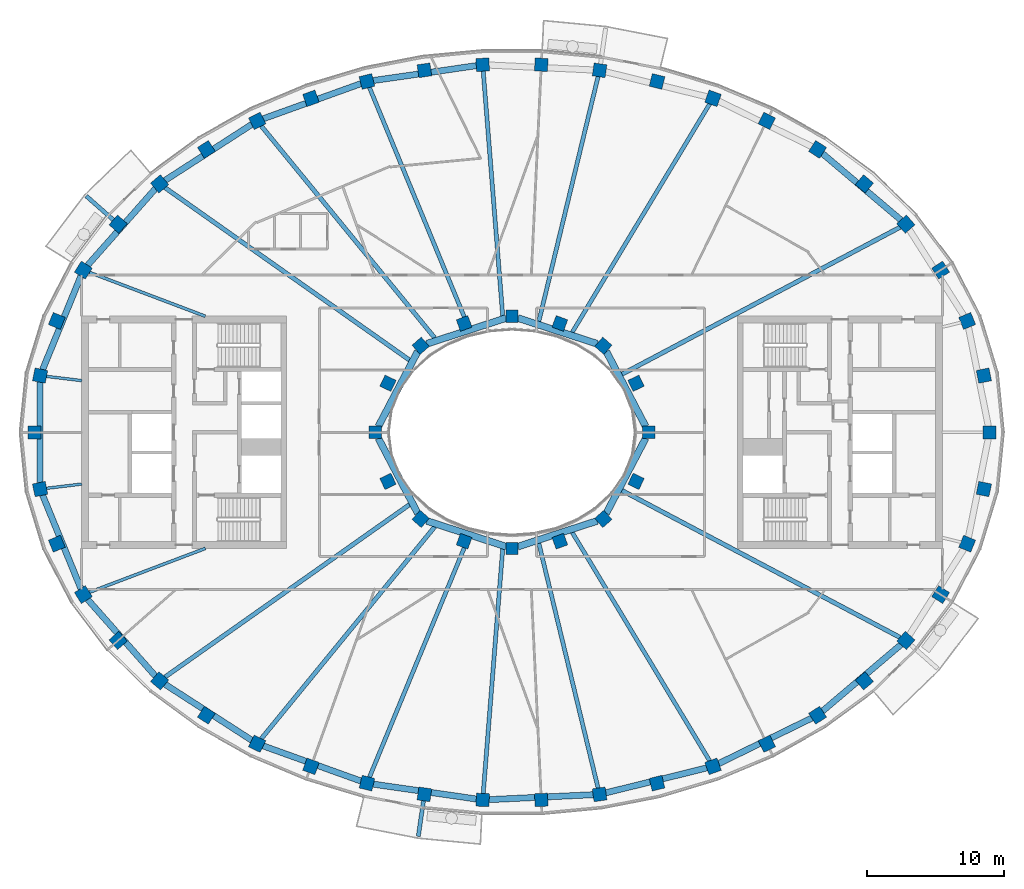
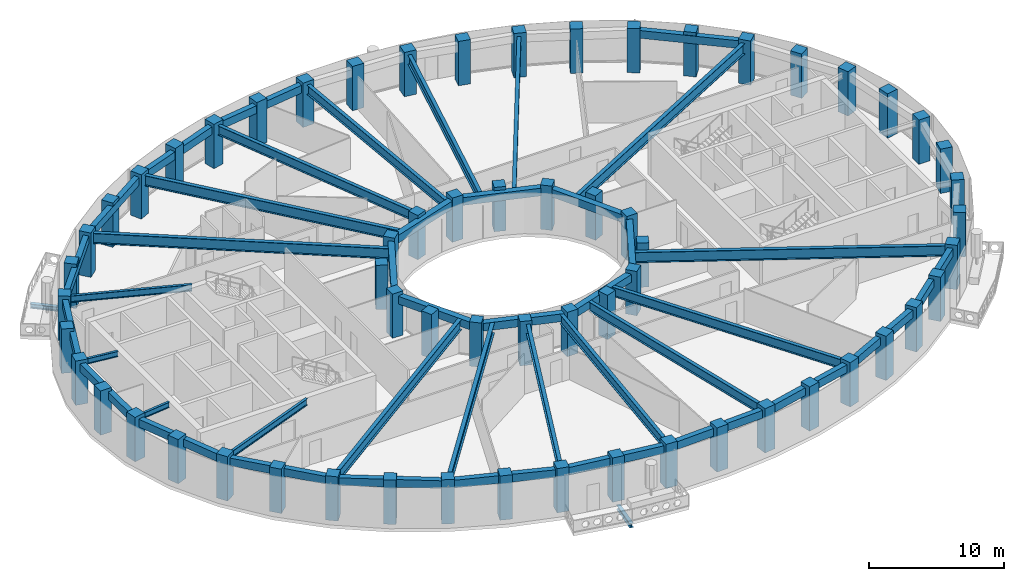
# One storey, part 1 of 16: 62 columns, 44 beams.
"""IFC4 building model written with IfcOpenShell, lengths in metres."""

from ifc_helpers import new_model, si_unit, direction, frame, origin, origin_2d, place, context, subcontext, project, spatial, rectangle, i_section, extrude, material, material_profile, profile_set, type_object, element, save


model = new_model("IFC4")

# Units and contexts
model_context = context("Model", 3, precision=1e-05, world=origin(), true_north=direction((0.0, 1.0)))
body_context = subcontext(model_context, "Body", "Model", "MODEL_VIEW")
ifc_project = project(units=[si_unit("LENGTHUNIT", "METRE"), si_unit("AREAUNIT", "SQUARE_METRE"), si_unit("VOLUMEUNIT", "CUBIC_METRE"), si_unit("PLANEANGLEUNIT", "RADIAN"), si_unit("MASSUNIT", "GRAM", prefix="KILO")], contexts=[model_context])

# Site, building, storey
site_placement = place(None, origin())
site = spatial("IfcSite", under=ifc_project, at=site_placement, CompositionType="ELEMENT")
building_placement = place(site_placement, origin())
building = spatial("IfcBuilding", under=site, at=building_placement, Name="Noorbagh Ring Tower", CompositionType="ELEMENT")
storey_placement = place(building_placement, frame((0.0, 0.0, 303.0)))
storey = spatial("IfcBuildingStorey", under=building, at=storey_placement, Name="L65", CompositionType="ELEMENT", Elevation=303.0)

# Columns
ifc_material_1 = material(Name="Concrete C50/60", Category="concrete")
ifc_material_profile_1 = material_profile(ifc_material_1, rectangle(XDim=0.949951171875, YDim=0.949951171875, at=origin_2d()), Name="RC950x950")
ifc_profile_set_1 = profile_set([ifc_material_profile_1], Name="Concrete C50/60")
column_type_1 = type_object("IfcColumnType", Name="STR-COL-RC950x950-C50-60", PredefinedType="COLUMN", material=ifc_profile_set_1)
for number, where, z_axis, x_axis, name in (
    (1, (34.944580078125, 0.0, 0.0), (0.0, 0.0, 1.0), (0.0, 1.0, 0.0), "L65/col/R1-01"),
    (2, (34.52685546875, 4.150634765625, 0.0), (0.0, 0.0, 1.0), (-0.19723040178, 0.9803571638, 0.0), "L65/col/R1-02"),
    (3, (33.30517578125, 8.1494140625, 0.0), (0.0, 0.0, 1.0), (-0.378989499959, 0.925400971969, 0.0), "L65/col/R1-03"),
    (4, (31.364990234375, 11.87109375, 0.0), (0.0, 0.0, 1.0), (-0.535190403059, 0.844731455833, 0.0), "L65/col/R1-04"),
    (5, (28.81884765625, 15.23046875, 0.0), (0.0, 0.0, 1.0), (-0.662635642662, 0.748941923699, 0.0), "L65/col/R1-05"),
    (6, (25.78271484375, 18.180419921875, 0.0), (0.0, 0.0, 1.0), (-0.763035199656, 0.646356932419, 0.0), "L65/col/R1-06"),
    (7, (22.362060546875, 20.699951171875, 0.0), (0.0, 0.0, 1.0), (-0.840247639643, 0.542202825586, 0.0), "L65/col/R1-07"),
    (8, (18.646240234375, 22.785400390625, 0.0), (0.0, 0.0, 1.0), (-0.898399080868, 0.439180021741, 0.0), "L65/col/R1-08"),
    (9, (14.70947265625, 24.44091796875, 0.0), (0.0, 0.0, 1.0), (-0.941024726094, 0.338337797003, 0.0), "L65/col/R1-09"),
    (10, (10.61328125, 25.673583984375, 0.0), (0.0, 0.0, 1.0), (-0.970829360981, 0.239771457553, 0.0), "L65/col/R1-10"),
    (11, (6.4091796875, 26.49072265625, 0.0), (0.0, 0.0, 1.0), (-0.989713114048, 0.143066249975, 0.0), "L65/col/R1-11"),
    (12, (2.14306640625, 26.89794921875, 0.0), (0.0, 0.0, 1.0), (-0.998868731212, 0.047552684538, 0.0), "L65/col/R1-12"),
    (13, (-2.14306640625, 26.89794921875, 0.0), (0.0, 0.0, 1.0), (-0.998868731212, -0.047552684538, 0.0), "L65/col/R1-13"),
    (14, (-6.4091796875, 26.49072265625, 0.0), (0.0, 0.0, 1.0), (-0.989713114048, -0.143066249975, 0.0), "L65/col/R1-14"),
    (15, (-10.61328125, 25.673583984375, 0.0), (0.0, 0.0, 1.0), (-0.970829360981, -0.239771457553, 0.0), "L65/col/R1-15"),
    (16, (-14.70947265625, 24.44091796875, 0.0), (0.0, 0.0, 1.0), (-0.941024726094, -0.338337797003, 0.0), "L65/col/R1-16"),
    (17, (-18.646240234375, 22.785400390625, 0.0), (0.0, 0.0, 1.0), (-0.898399080868, -0.439180021741, 0.0), "L65/col/R1-17"),
    (18, (-22.362060546875, 20.699951171875, 0.0), (0.0, 0.0, 1.0), (-0.840247639643, -0.542202825586, 0.0), "L65/col/R1-18"),
    (19, (-25.78271484375, 18.180419921875, 0.0), (0.0, 0.0, 1.0), (-0.763035199656, -0.646356932419, 0.0), "L65/col/R1-19"),
    (20, (-28.81884765625, 15.23046875, 0.0), (0.0, 0.0, 1.0), (-0.662635642662, -0.748941923699, 0.0), "L65/col/R1-20"),
    (21, (-31.364990234375, 11.87109375, 0.0), (0.0, 0.0, 1.0), (-0.535190403059, -0.844731455833, 0.0), "L65/col/R1-21"),
    (22, (-33.30517578125, 8.1494140625, 0.0), (0.0, 0.0, 1.0), (-0.378989499959, -0.925400971969, 0.0), "L65/col/R1-22"),
    (23, (-34.52685546875, 4.150634765625, 0.0), (0.0, 0.0, 1.0), (-0.19723040178, -0.9803571638, 0.0), "L65/col/R1-23"),
    (24, (-34.944580078125, 0.0, 0.0), (0.0, 0.0, 1.0), (0.0, -1.0, 0.0), "L65/col/R1-24"),
    (25, (-34.52685546875, -4.150634765625, 0.0), (0.0, 0.0, 1.0), (0.19723040178, -0.9803571638, 0.0), "L65/col/R1-25"),
    (26, (-33.30517578125, -8.1494140625, 0.0), (0.0, 0.0, 1.0), (0.378989499959, -0.925400971969, 0.0), "L65/col/R1-26"),
    (27, (-31.364990234375, -11.87109375, 0.0), (0.0, 0.0, 1.0), (0.535190403059, -0.844731455833, 0.0), "L65/col/R1-27"),
    (28, (-28.81884765625, -15.23046875, 0.0), (0.0, 0.0, 1.0), (0.662635642662, -0.748941923699, 0.0), "L65/col/R1-28"),
    (29, (-25.78271484375, -18.180419921875, 0.0), (0.0, 0.0, 1.0), (0.763035199656, -0.646356932419, 0.0), "L65/col/R1-29"),
    (30, (-22.362060546875, -20.699951171875, 0.0), (0.0, 0.0, 1.0), (0.840247639643, -0.542202825586, 0.0), "L65/col/R1-30"),
    (31, (-18.646240234375, -22.785400390625, 0.0), (0.0, 0.0, 1.0), (0.898399080868, -0.439180021741, 0.0), "L65/col/R1-31"),
    (32, (-14.70947265625, -24.44091796875, 0.0), (0.0, 0.0, 1.0), (0.941024726094, -0.338337797003, 0.0), "L65/col/R1-32"),
    (33, (-10.61328125, -25.673583984375, 0.0), (0.0, 0.0, 1.0), (0.970829360981, -0.239771457553, 0.0), "L65/col/R1-33"),
    (34, (-6.4091796875, -26.49072265625, 0.0), (0.0, 0.0, 1.0), (0.989713114048, -0.143066249975, 0.0), "L65/col/R1-34"),
    (35, (-2.14306640625, -26.89794921875, 0.0), (0.0, 0.0, 1.0), (0.998868731212, -0.047552684538, 0.0), "L65/col/R1-35"),
    (36, (2.14306640625, -26.89794921875, 0.0), (0.0, 0.0, 1.0), (0.998868731212, 0.047552684538, 0.0), "L65/col/R1-36"),
    (37, (6.4091796875, -26.49072265625, 0.0), (0.0, 0.0, 1.0), (0.989713114048, 0.143066249975, 0.0), "L65/col/R1-37"),
    (38, (10.61328125, -25.673583984375, 0.0), (0.0, 0.0, 1.0), (0.970829360981, 0.239771457553, 0.0), "L65/col/R1-38"),
    (39, (14.70947265625, -24.44091796875, 0.0), (0.0, 0.0, 1.0), (0.941024726094, 0.338337797003, 0.0), "L65/col/R1-39"),
    (40, (18.646240234375, -22.785400390625, 0.0), (0.0, 0.0, 1.0), (0.898399080868, 0.439180021741, 0.0), "L65/col/R1-40"),
    (41, (22.362060546875, -20.699951171875, 0.0), (0.0, 0.0, 1.0), (0.840247639643, 0.542202825586, 0.0), "L65/col/R1-41"),
    (42, (25.78271484375, -18.180419921875, 0.0), (0.0, 0.0, 1.0), (0.763035199656, 0.646356932419, 0.0), "L65/col/R1-42"),
    (43, (28.81884765625, -15.23046875, 0.0), (0.0, 0.0, 1.0), (0.662635642662, 0.748941923699, 0.0), "L65/col/R1-43"),
    (44, (31.364990234375, -11.87109375, 0.0), (0.0, 0.0, 1.0), (0.535190403059, 0.844731455833, 0.0), "L65/col/R1-44"),
    (45, (33.30517578125, -8.1494140625, 0.0), (0.0, 0.0, 1.0), (0.378989499959, 0.925400971969, 0.0), "L65/col/R1-45"),
    (46, (34.52685546875, -4.150634765625, 0.0), (0.0, 0.0, 1.0), (0.19723040178, 0.9803571638, 0.0), "L65/col/R1-46"),
):
    element("IfcColumn", number, at=place(storey_placement, frame(where, z_axis=z_axis, x_axis=x_axis)), inside=storey, type_object=column_type_1, Name=name, PredefinedType="COLUMN", context=body_context, shape_type="SweptSolid", body=[
        extrude(rectangle(XDim=0.949951171875, YDim=0.949951171875, at=origin_2d()), origin(), (0.0, 0.0, 1.0), 4.0),
    ])
ifc_material_2 = material(Name="Concrete C50/60", Category="concrete")
ifc_material_profile_2 = material_profile(ifc_material_2, rectangle(XDim=0.89990234375, YDim=0.89990234375, at=origin_2d()), Name="RC900x900")
ifc_profile_set_2 = profile_set([ifc_material_profile_2], Name="Concrete C50/60")
column_type_2 = type_object("IfcColumnType", Name="STR-ICOL-RC900x900-C50-60", PredefinedType="COLUMN", material=ifc_profile_set_2)
for number, where, z_axis, x_axis, name in (
    (47, (10.00830078125, 0.0, 0.0), (0.0, 0.0, 1.0), (0.0, 1.0, 0.0), "L65/col/IR2-W01"),
    (48, (9.07568359375, 3.58837890625, 0.0), (0.0, 0.0, 1.0), (-0.428666979171, 0.903462573087, 0.0), "L65/col/IR2-W03"),
    (49, (6.68212890625, 6.333740234375, 0.0), (0.0, 0.0, 1.0), (-0.75102249095, 0.660276622399, 0.0), "L65/col/IR2-W05"),
    (50, (3.5009765625, 7.967041015625, 0.0), (0.0, 0.0, 1.0), (-0.939019578916, 0.343863679984, 0.0), "L65/col/IR2-W07"),
    (51, (0.0, 8.5029296875, 0.0), (0.0, 0.0, 1.0), (-1.0, 0.0, 0.0), "L65/col/IR2-W09"),
    (52, (-3.5009765625, 7.967041015625, 0.0), (0.0, 0.0, 1.0), (-0.939019578916, -0.343863679984, 0.0), "L65/col/IR2-W11"),
    (53, (-6.68212890625, 6.333740234375, 0.0), (0.0, 0.0, 1.0), (-0.75102249095, -0.660276622399, 0.0), "L65/col/IR2-W13"),
    (54, (-9.07568359375, 3.58837890625, 0.0), (0.0, 0.0, 1.0), (-0.428666979171, -0.903462573087, 0.0), "L65/col/IR2-W15"),
    (55, (-10.00830078125, 0.0, 0.0), (0.0, 0.0, 1.0), (0.0, -1.0, 0.0), "L65/col/IR2-W17"),
    (56, (-9.07568359375, -3.58837890625, 0.0), (0.0, 0.0, 1.0), (0.428666979171, -0.903462573087, 0.0), "L65/col/IR2-W19"),
    (57, (-6.68212890625, -6.333740234375, 0.0), (0.0, 0.0, 1.0), (0.75102249095, -0.660276622399, 0.0), "L65/col/IR2-W21"),
    (58, (-3.5009765625, -7.967041015625, 0.0), (0.0, 0.0, 1.0), (0.939019578916, -0.343863679984, 0.0), "L65/col/IR2-W23"),
    (59, (0.0, -8.5029296875, 0.0), (0.0, 0.0, 1.0), (1.0, 0.0, 0.0), "L65/col/IR2-W25"),
    (60, (3.5009765625, -7.967041015625, 0.0), (0.0, 0.0, 1.0), (0.939019578916, 0.343863679984, 0.0), "L65/col/IR2-W27"),
    (61, (6.68212890625, -6.333740234375, 0.0), (0.0, 0.0, 1.0), (0.75102249095, 0.660276622399, 0.0), "L65/col/IR2-W29"),
    (62, (9.07568359375, -3.58837890625, 0.0), (0.0, 0.0, 1.0), (0.428666979171, 0.903462573087, 0.0), "L65/col/IR2-W31"),
):
    element("IfcColumn", number, at=place(storey_placement, frame(where, z_axis=z_axis, x_axis=x_axis)), inside=storey, type_object=column_type_2, Name=name, PredefinedType="COLUMN", context=body_context, shape_type="SweptSolid", body=[
        extrude(rectangle(XDim=0.89990234375, YDim=0.89990234375, at=origin_2d()), origin(), (0.0, 0.0, 1.0), 4.0),
    ])

# Beams
ifc_material_3 = material(Name="Steel S355", Category="steel")
ifc_material_profile_3 = material_profile(ifc_material_3, i_section(OverallWidth=0.300048828125, OverallDepth=0.39990234375, WebThickness=0.013427734375, FlangeThickness=0.02392578125, FilletRadius=0.027099609375, at=origin_2d()), Name="HEB400")
ifc_profile_set_3 = profile_set([ifc_material_profile_3], Name="Steel S355")
beam_type_1 = type_object("IfcBeamType", Name="STR-BALCONY-BRACKET-HEB400", PredefinedType="BEAM", material=ifc_profile_set_3)
beam_1_placement = place(storey_placement, frame((-29.15966796875, 15.531982421875, -0.5), z_axis=(-0.749056248736, 0.662506404671, 0.0), x_axis=(-0.662506404671, -0.749056248736, 0.0)))
element("IfcBeam", 63, at=beam_1_placement, inside=storey, type_object=beam_type_1, Name="Balcony bracket beam BN06", PredefinedType="BEAM", context=body_context, shape_type="SweptSolid", body=[
    extrude(i_section(OverallWidth=0.300048828125, OverallDepth=0.39990234375, WebThickness=0.013427734375, FlangeThickness=0.02392578125, FilletRadius=0.027099609375, at=origin_2d()), origin(), (0.0, 0.0, 1.0), 2.654296875),
])
beam_2_placement = place(storey_placement, frame((-6.474365234375, -26.941162109375, -0.5), z_axis=(-0.143047035154, -0.989715891422, 0.0), x_axis=(0.989715891422, -0.143047035154, 0.0)))
element("IfcBeam", 64, at=beam_2_placement, inside=storey, type_object=beam_type_1, Name="Balcony bracket beam BS03", PredefinedType="BEAM", context=body_context, shape_type="SweptSolid", body=[
    extrude(i_section(OverallWidth=0.300048828125, OverallDepth=0.39990234375, WebThickness=0.013427734375, FlangeThickness=0.02392578125, FilletRadius=0.027099609375, at=origin_2d()), origin(), (0.0, 0.0, 1.0), 2.64892578125),
])
ifc_material_4 = material(Name="Steel S355", Category="steel")
ifc_material_profile_4 = material_profile(ifc_material_4, i_section(OverallWidth=0.199951171875, OverallDepth=0.5, WebThickness=0.01025390625, FlangeThickness=0.01611328125, FilletRadius=0.02099609375, at=origin_2d()), Name="IPE500")
ifc_profile_set_4 = profile_set([ifc_material_profile_4], Name="Steel S355")
beam_type_2 = type_object("IfcBeamType", Name="STR-RAD-IPE500", PredefinedType="BEAM", material=ifc_profile_set_4)
for number, where, z_axis, x_axis, name in (
    (65, (-34.073486328125, 4.09619140625, 3.449951171875), (0.99285071941, -0.11936267828, 0.0), (0.11936267828, 0.99285071941, 0.0), "L65/bm/RD23"),
    (66, (-34.073486328125, -4.09619140625, 3.449951171875), (0.99285071941, 0.11936267828, 0.0), (-0.11936267828, 0.99285071941, 0.0), "L65/bm/RD25"),
):
    element("IfcBeam", number, at=place(storey_placement, frame(where, z_axis=z_axis, x_axis=x_axis)), inside=storey, type_object=beam_type_2, Name=name, PredefinedType="BEAM", context=body_context, shape_type="SweptSolid", body=[
        extrude(i_section(OverallWidth=0.199951171875, OverallDepth=0.5, WebThickness=0.01025390625, FlangeThickness=0.01611328125, FilletRadius=0.02099609375, at=origin_2d()), origin(), (0.0, 0.0, 1.0), 2.61181640625),
    ])
ifc_material_5 = material(Name="Steel S355", Category="steel")
ifc_material_profile_5 = material_profile(ifc_material_5, i_section(OverallWidth=0.219970703125, OverallDepth=0.60009765625, WebThickness=0.011962890625, FlangeThickness=0.01904296875, FilletRadius=0.02392578125, at=origin_2d()), Name="IPE600")
ifc_profile_set_5 = profile_set([ifc_material_profile_5], Name="Steel S355")
beam_type_3 = type_object("IfcBeamType", Name="STR-RAD-IPE600", PredefinedType="BEAM", material=ifc_profile_set_5)
for number, where, z_axis, x_axis, name in (
    (67, (-30.93017578125, 11.706298828125, 3.39990234375), (0.935258347676, -0.353965850192, 0.0), (0.353965850192, 0.935258347676, 0.0), "L65/bm/RD21"),
    (68, (-30.93017578125, -11.706298828125, 3.39990234375), (0.935258347676, 0.353965850192, 0.0), (-0.353965850192, 0.935258347676, 0.0), "L65/bm/RD27"),
):
    element("IfcBeam", number, at=place(storey_placement, frame(where, z_axis=z_axis, x_axis=x_axis)), inside=storey, type_object=beam_type_3, Name=name, PredefinedType="BEAM", context=body_context, shape_type="SweptSolid", body=[
        extrude(i_section(OverallWidth=0.219970703125, OverallDepth=0.60009765625, WebThickness=0.011962890625, FlangeThickness=0.01904296875, FilletRadius=0.02392578125, at=origin_2d()), origin(), (0.0, 0.0, 1.0), 9.078125),
    ])
ifc_material_6 = material(Name="Steel S355", Category="steel")
ifc_material_profile_6 = material_profile(ifc_material_6, i_section(OverallWidth=0.300048828125, OverallDepth=0.85009765625, WebThickness=0.013916015625, FlangeThickness=0.028076171875, at=origin_2d()), Name="PG850x300x14x28")
ifc_profile_set_6 = profile_set([ifc_material_profile_6], Name="Steel S355")
beam_type_4 = type_object("IfcBeamType", Name="STR-RAD-PG850x300x14x28", PredefinedType="BEAM", material=ifc_profile_set_6)
beam_3_placement = place(storey_placement, frame((14.469970703125, 24.04296875, 3.27490234375), z_axis=(-0.515650204939, -0.856799198264, 0.0), x_axis=(0.856799198264, -0.515650204939, 0.0)))
element("IfcBeam", 69, at=beam_3_placement, inside=storey, type_object=beam_type_4, Name="L65/bm/RD09", PredefinedType="BEAM", context=body_context, shape_type="SweptSolid", body=[
    extrude(i_section(OverallWidth=0.300048828125, OverallDepth=0.85009765625, WebThickness=0.013916015625, FlangeThickness=0.028076171875, at=origin_2d()), origin(), (0.0, 0.0, 1.0), 19.522705078125),
])
beam_4_placement = place(storey_placement, frame((6.3017578125, 26.046630859375, 3.27490234375), z_axis=(-0.235155145901, -0.97195784752, 0.0), x_axis=(0.97195784752, -0.235155145901, 0.0)))
element("IfcBeam", 70, at=beam_4_placement, inside=storey, type_object=beam_type_4, Name="L65/bm/RD11", PredefinedType="BEAM", context=body_context, shape_type="SweptSolid", body=[
    extrude(i_section(OverallWidth=0.300048828125, OverallDepth=0.85009765625, WebThickness=0.013916015625, FlangeThickness=0.028076171875, at=origin_2d()), origin(), (0.0, 0.0, 1.0), 18.456298828125),
])
beam_5_placement = place(storey_placement, frame((-2.10693359375, 26.444091796875, 3.27490234375), z_axis=(0.079423498712, -0.996840964172, 0.0), x_axis=(0.996840964172, 0.079423498712, 0.0)))
element("IfcBeam", 71, at=beam_5_placement, inside=storey, type_object=beam_type_4, Name="L65/bm/RD13", PredefinedType="BEAM", context=body_context, shape_type="SweptSolid", body=[
    extrude(i_section(OverallWidth=0.300048828125, OverallDepth=0.85009765625, WebThickness=0.013916015625, FlangeThickness=0.028076171875, at=origin_2d()), origin(), (0.0, 0.0, 1.0), 17.976318359375),
])
for number, where, z_axis, x_axis, name in (
    (72, (-10.437255859375, 25.248046875, 3.27490234375), (0.382035124729, -0.924147803911, 0.0), (0.924147803911, 0.382035124729, 0.0), "L65/bm/RD15"),
    (73, (-10.437255859375, -25.248046875, 3.27490234375), (0.382035124729, 0.924147803911, 0.0), (-0.924147803911, 0.382035124729, 0.0), "L65/bm/RD33"),
):
    element("IfcBeam", number, at=place(storey_placement, frame(where, z_axis=z_axis, x_axis=x_axis)), inside=storey, type_object=beam_type_4, Name=name, PredefinedType="BEAM", context=body_context, shape_type="SweptSolid", body=[
        extrude(i_section(OverallWidth=0.300048828125, OverallDepth=0.85009765625, WebThickness=0.013916015625, FlangeThickness=0.028076171875, at=origin_2d()), origin(), (0.0, 0.0, 1.0), 18.977294921875),
    ])
beam_6_placement = place(storey_placement, frame((-2.10693359375, -26.444091796875, 3.27490234375), z_axis=(0.079423498712, 0.996840964172, 0.0), x_axis=(-0.996840964172, 0.079423498712, 0.0)))
element("IfcBeam", 74, at=beam_6_placement, inside=storey, type_object=beam_type_4, Name="L65/bm/RD35", PredefinedType="BEAM", context=body_context, shape_type="SweptSolid", body=[
    extrude(i_section(OverallWidth=0.300048828125, OverallDepth=0.85009765625, WebThickness=0.013916015625, FlangeThickness=0.028076171875, at=origin_2d()), origin(), (0.0, 0.0, 1.0), 17.976318359375),
])
beam_7_placement = place(storey_placement, frame((6.3017578125, -26.046630859375, 3.27490234375), z_axis=(-0.235155145901, 0.97195784752, 0.0), x_axis=(-0.97195784752, -0.235155145901, 0.0)))
element("IfcBeam", 75, at=beam_7_placement, inside=storey, type_object=beam_type_4, Name="L65/bm/RD37", PredefinedType="BEAM", context=body_context, shape_type="SweptSolid", body=[
    extrude(i_section(OverallWidth=0.300048828125, OverallDepth=0.85009765625, WebThickness=0.013916015625, FlangeThickness=0.028076171875, at=origin_2d()), origin(), (0.0, 0.0, 1.0), 18.456298828125),
])
beam_8_placement = place(storey_placement, frame((14.469970703125, -24.04296875, 3.27490234375), z_axis=(-0.515650204939, 0.856799198264, 0.0), x_axis=(-0.856799198264, -0.515650204939, 0.0)))
element("IfcBeam", 76, at=beam_8_placement, inside=storey, type_object=beam_type_4, Name="L65/bm/RD39", PredefinedType="BEAM", context=body_context, shape_type="SweptSolid", body=[
    extrude(i_section(OverallWidth=0.300048828125, OverallDepth=0.85009765625, WebThickness=0.013916015625, FlangeThickness=0.028076171875, at=origin_2d()), origin(), (0.0, 0.0, 1.0), 19.522705078125),
])
ifc_material_7 = material(Name="Steel S355", Category="steel")
ifc_material_profile_7 = material_profile(ifc_material_7, i_section(OverallWidth=0.320068359375, OverallDepth=0.949951171875, WebThickness=0.01611328125, FlangeThickness=0.030029296875, at=origin_2d()), Name="PG950x320x16x30")
ifc_profile_set_7 = profile_set([ifc_material_profile_7], Name="Steel S355")
beam_type_5 = type_object("IfcBeamType", Name="STR-RAD-PG950x320x16x30", PredefinedType="BEAM", material=ifc_profile_set_7)
beam_9_placement = place(storey_placement, frame((28.404296875, 15.011474609375, 3.22509765625), z_axis=(-0.884125650742, -0.467249220118, 0.0), x_axis=(0.467249220118, -0.884125650742, 0.0)))
element("IfcBeam", 77, at=beam_9_placement, inside=storey, type_object=beam_type_5, Name="L65/bm/RD05", PredefinedType="BEAM", context=body_context, shape_type="SweptSolid", body=[
    extrude(i_section(OverallWidth=0.320068359375, OverallDepth=0.949951171875, WebThickness=0.01611328125, FlangeThickness=0.030029296875, at=origin_2d()), origin(), (0.0, 0.0, 1.0), 23.0361328125),
])
beam_10_placement = place(storey_placement, frame((-18.349853515625, 22.42333984375, 3.22509765625), z_axis=(0.633310080716, -0.773898146828, 0.0), x_axis=(0.773898146828, 0.633310080716, 0.0)))
element("IfcBeam", 78, at=beam_10_placement, inside=storey, type_object=beam_type_5, Name="L65/bm/RD17", PredefinedType="BEAM", context=body_context, shape_type="SweptSolid", body=[
    extrude(i_section(OverallWidth=0.320068359375, OverallDepth=0.949951171875, WebThickness=0.01611328125, FlangeThickness=0.030029296875, at=origin_2d()), origin(), (0.0, 0.0, 1.0), 20.045166015625),
])
for number, where, z_axis, x_axis, name in (
    (79, (-25.39794921875, 17.908935546875, 3.22509765625), (0.817258066594, -0.576271856494, 0.0), (0.576271856494, 0.817258066594, 0.0), "L65/bm/RD19"),
    (80, (-25.39794921875, -17.908935546875, 3.22509765625), (0.817258066594, 0.576271856494, 0.0), (-0.576271856494, 0.817258066594, 0.0), "L65/bm/RD29"),
):
    element("IfcBeam", number, at=place(storey_placement, frame(where, z_axis=z_axis, x_axis=x_axis)), inside=storey, type_object=beam_type_5, Name=name, PredefinedType="BEAM", context=body_context, shape_type="SweptSolid", body=[
        extrude(i_section(OverallWidth=0.320068359375, OverallDepth=0.949951171875, WebThickness=0.01611328125, FlangeThickness=0.030029296875, at=origin_2d()), origin(), (0.0, 0.0, 1.0), 21.907958984375),
    ])
beam_11_placement = place(storey_placement, frame((-18.349853515625, -22.42333984375, 3.22509765625), z_axis=(0.633310080716, 0.773898146828, 0.0), x_axis=(-0.773898146828, 0.633310080716, 0.0)))
element("IfcBeam", 81, at=beam_11_placement, inside=storey, type_object=beam_type_5, Name="L65/bm/RD31", PredefinedType="BEAM", context=body_context, shape_type="SweptSolid", body=[
    extrude(i_section(OverallWidth=0.320068359375, OverallDepth=0.949951171875, WebThickness=0.01611328125, FlangeThickness=0.030029296875, at=origin_2d()), origin(), (0.0, 0.0, 1.0), 20.045166015625),
])
beam_12_placement = place(storey_placement, frame((28.404296875, -15.011474609375, 3.22509765625), z_axis=(-0.884125650742, 0.467249220118, 0.0), x_axis=(-0.467249220118, -0.884125650742, 0.0)))
element("IfcBeam", 82, at=beam_12_placement, inside=storey, type_object=beam_type_5, Name="L65/bm/RD43", PredefinedType="BEAM", context=body_context, shape_type="SweptSolid", body=[
    extrude(i_section(OverallWidth=0.320068359375, OverallDepth=0.949951171875, WebThickness=0.01611328125, FlangeThickness=0.030029296875, at=origin_2d()), origin(), (0.0, 0.0, 1.0), 23.0361328125),
])
ifc_material_8 = material(Name="Concrete C40/50", Category="concrete")
ifc_material_profile_8 = material_profile(ifc_material_8, rectangle(XDim=0.5, YDim=0.699951171875, at=origin_2d()), Name="RC500x700")
ifc_profile_set_8 = profile_set([ifc_material_profile_8], Name="Concrete C40/50")
beam_type_6 = type_object("IfcBeamType", Name="STR-RB-RC500x700-C40-50", PredefinedType="BEAM", material=ifc_profile_set_8)
beam_13_placement = place(storey_placement, frame((9.781494140625, 0.432373046875, 3.35009765625), z_axis=(-0.464959609013, 0.885331893691, 0.0), x_axis=(-0.885331893691, -0.464959609013, 0.0)))
element("IfcBeam", 83, at=beam_13_placement, inside=storey, type_object=beam_type_6, Name="L65/bm/RG01", PredefinedType="BEAM", context=body_context, shape_type="SweptSolid", body=[
    extrude(rectangle(XDim=0.5, YDim=0.699951171875, at=origin_2d()), origin(), (0.0, 0.0, 1.0), 6.203857421875),
])
for number, where, z_axis, x_axis, name in (
    (84, (6.235107421875, 6.47900390625, 3.35009765625), (-0.951146317375, 0.308740478303, 0.0), (-0.308740478303, -0.951146317375, 0.0), "L65/bm/RG03"),
    (85, (-0.430908203125, 8.363037109375, 3.35009765625), (-0.951146317375, -0.308740478303, 0.0), (0.308740478303, -0.951146317375, 0.0), "L65/bm/RG05"),
):
    element("IfcBeam", number, at=place(storey_placement, frame(where, z_axis=z_axis, x_axis=x_axis)), inside=storey, type_object=beam_type_6, Name=name, PredefinedType="BEAM", context=body_context, shape_type="SweptSolid", body=[
        extrude(rectangle(XDim=0.5, YDim=0.699951171875, at=origin_2d()), origin(), (0.0, 0.0, 1.0), 6.102294921875),
    ])
for number, where, z_axis, x_axis, name in (
    (86, (-6.89697265625, 5.9248046875, 3.35009765625), (-0.464959609013, -0.885331893691, 0.0), (0.885331893691, -0.464959609013, 0.0), "L65/bm/RG07"),
    (87, (-9.781494140625, -0.432373046875, 3.35009765625), (0.464959609013, -0.885331893691, 0.0), (0.885331893691, 0.464959609013, 0.0), "L65/bm/RG09"),
):
    element("IfcBeam", number, at=place(storey_placement, frame(where, z_axis=z_axis, x_axis=x_axis)), inside=storey, type_object=beam_type_6, Name=name, PredefinedType="BEAM", context=body_context, shape_type="SweptSolid", body=[
        extrude(rectangle(XDim=0.5, YDim=0.699951171875, at=origin_2d()), origin(), (0.0, 0.0, 1.0), 6.203857421875),
    ])
for number, where, z_axis, x_axis, name in (
    (88, (-6.235107421875, -6.47900390625, 3.35009765625), (0.951146317375, -0.308740478303, 0.0), (0.308740478303, 0.951146317375, 0.0), "L65/bm/RG11"),
    (89, (0.430908203125, -8.363037109375, 3.35009765625), (0.951146317375, 0.308740478303, 0.0), (-0.308740478303, 0.951146317375, 0.0), "L65/bm/RG13"),
):
    element("IfcBeam", number, at=place(storey_placement, frame(where, z_axis=z_axis, x_axis=x_axis)), inside=storey, type_object=beam_type_6, Name=name, PredefinedType="BEAM", context=body_context, shape_type="SweptSolid", body=[
        extrude(rectangle(XDim=0.5, YDim=0.699951171875, at=origin_2d()), origin(), (0.0, 0.0, 1.0), 6.102294921875),
    ])
beam_14_placement = place(storey_placement, frame((6.89697265625, -5.9248046875, 3.35009765625), z_axis=(0.464959609013, 0.885331893691, 0.0), x_axis=(-0.885331893691, 0.464959609013, 0.0)))
element("IfcBeam", 90, at=beam_14_placement, inside=storey, type_object=beam_type_6, Name="L65/bm/RG15", PredefinedType="BEAM", context=body_context, shape_type="SweptSolid", body=[
    extrude(rectangle(XDim=0.5, YDim=0.699951171875, at=origin_2d()), origin(), (0.0, 0.0, 1.0), 6.203857421875),
])
ifc_material_9 = material(Name="Concrete C40/50", Category="concrete")
ifc_material_profile_9 = material_profile(ifc_material_9, rectangle(XDim=0.449951171875, YDim=0.699951171875, at=origin_2d()), Name="RC450x700")
ifc_profile_set_9 = profile_set([ifc_material_profile_9], Name="Concrete C40/50")
beam_type_7 = type_object("IfcBeamType", Name="STR-SB-RC450x700-C40-50", PredefinedType="BEAM", material=ifc_profile_set_9)
beam_15_placement = place(storey_placement, frame((28.4677734375, 15.52783203125, 3.35009765625), z_axis=(-0.763022759798, 0.646371617594, 0.0), x_axis=(-0.646371617594, -0.763022759798, 0.0)))
element("IfcBeam", 91, at=beam_15_placement, inside=storey, type_object=beam_type_7, Name="L65/bm/SP05", PredefinedType="BEAM", context=body_context, shape_type="SweptSolid", body=[
    extrude(rectangle(XDim=0.449951171875, YDim=0.699951171875, at=origin_2d()), origin(), (0.0, 0.0, 1.0), 7.54296875),
])
beam_16_placement = place(storey_placement, frame((-2.595703125, 26.83251953125, 3.35009765625), z_axis=(-0.989713688826, -0.14306227368, 0.0), x_axis=(0.14306227368, -0.989713688826, 0.0)))
element("IfcBeam", 92, at=beam_16_placement, inside=storey, type_object=beam_type_7, Name="L65/bm/SP13", PredefinedType="BEAM", context=body_context, shape_type="SweptSolid", body=[
    extrude(rectangle(XDim=0.449951171875, YDim=0.699951171875, at=origin_2d()), origin(), (0.0, 0.0, 1.0), 7.6435546875),
])
beam_17_placement = place(storey_placement, frame((-11.043701171875, 25.518798828125, 3.35009765625), z_axis=(-0.941030260788, -0.338322402866, 0.0), x_axis=(0.338322402866, -0.941030260788, 0.0)))
element("IfcBeam", 93, at=beam_17_placement, inside=storey, type_object=beam_type_7, Name="L65/bm/SP15", PredefinedType="BEAM", context=body_context, shape_type="SweptSolid", body=[
    extrude(rectangle(XDim=0.449951171875, YDim=0.699951171875, at=origin_2d()), origin(), (0.0, 0.0, 1.0), 7.62109375),
])
beam_18_placement = place(storey_placement, frame((-19.031494140625, 22.536865234375, 3.35009765625), z_axis=(-0.840242183288, -0.542211281165, 0.0), x_axis=(0.542211281165, -0.840242183288, 0.0)))
element("IfcBeam", 94, at=beam_18_placement, inside=storey, type_object=beam_type_7, Name="L65/bm/SP17", PredefinedType="BEAM", context=body_context, shape_type="SweptSolid", body=[
    extrude(rectangle(XDim=0.449951171875, YDim=0.699951171875, at=origin_2d()), origin(), (0.0, 0.0, 1.0), 7.57568359375),
])
beam_19_placement = place(storey_placement, frame((-26.08740234375, 17.8359375, 3.35009765625), z_axis=(-0.662645487246, -0.748933213466, 0.0), x_axis=(0.748933213466, -0.662645487246, 0.0)))
element("IfcBeam", 95, at=beam_19_placement, inside=storey, type_object=beam_type_7, Name="L65/bm/SP19", PredefinedType="BEAM", context=body_context, shape_type="SweptSolid", body=[
    extrude(rectangle(XDim=0.449951171875, YDim=0.699951171875, at=origin_2d()), origin(), (0.0, 0.0, 1.0), 7.50341796875),
])
beam_20_placement = place(storey_placement, frame((-31.540283203125, 11.443115234375, 3.35009765625), z_axis=(-0.378989151692, -0.925401114598, 0.0), x_axis=(0.925401114598, -0.378989151692, 0.0)))
element("IfcBeam", 96, at=beam_20_placement, inside=storey, type_object=beam_type_7, Name="L65/bm/SP21", PredefinedType="BEAM", context=body_context, shape_type="SweptSolid", body=[
    extrude(rectangle(XDim=0.449951171875, YDim=0.699951171875, at=origin_2d()), origin(), (0.0, 0.0, 1.0), 7.41650390625),
])
beam_21_placement = place(storey_placement, frame((-34.52685546875, 3.68603515625, 3.35009765625), z_axis=(0.0, -1.0, 0.0), x_axis=(1.0, 0.0, 0.0)))
element("IfcBeam", 97, at=beam_21_placement, inside=storey, type_object=beam_type_7, Name="L65/bm/SP23", PredefinedType="BEAM", context=body_context, shape_type="SweptSolid", body=[
    extrude(rectangle(XDim=0.449951171875, YDim=0.699951171875, at=origin_2d()), origin(), (0.0, 0.0, 1.0), 7.3720703125),
])
beam_22_placement = place(storey_placement, frame((-34.35107421875, -4.579833984375, 3.35009765625), z_axis=(0.378989151692, -0.925401114598, 0.0), x_axis=(0.925401114598, 0.378989151692, 0.0)))
element("IfcBeam", 98, at=beam_22_placement, inside=storey, type_object=beam_type_7, Name="L65/bm/SP25", PredefinedType="BEAM", context=body_context, shape_type="SweptSolid", body=[
    extrude(rectangle(XDim=0.449951171875, YDim=0.699951171875, at=origin_2d()), origin(), (0.0, 0.0, 1.0), 7.41650390625),
])
beam_23_placement = place(storey_placement, frame((-31.0595703125, -12.21630859375, 3.35009765625), z_axis=(0.662645487246, -0.748933213466, 0.0), x_axis=(0.748933213466, 0.662645487246, 0.0)))
element("IfcBeam", 99, at=beam_23_placement, inside=storey, type_object=beam_type_7, Name="L65/bm/SP27", PredefinedType="BEAM", context=body_context, shape_type="SweptSolid", body=[
    extrude(rectangle(XDim=0.449951171875, YDim=0.699951171875, at=origin_2d()), origin(), (0.0, 0.0, 1.0), 7.50341796875),
])
beam_24_placement = place(storey_placement, frame((-25.39697265625, -18.42919921875, 3.35009765625), z_axis=(0.840242183288, -0.542211281165, 0.0), x_axis=(0.542211281165, 0.840242183288, 0.0)))
element("IfcBeam", 100, at=beam_24_placement, inside=storey, type_object=beam_type_7, Name="L65/bm/SP29", PredefinedType="BEAM", context=body_context, shape_type="SweptSolid", body=[
    extrude(rectangle(XDim=0.449951171875, YDim=0.699951171875, at=origin_2d()), origin(), (0.0, 0.0, 1.0), 7.57568359375),
])
beam_25_placement = place(storey_placement, frame((-18.21533203125, -22.9404296875, 3.35009765625), z_axis=(0.941030260788, -0.338322402866, 0.0), x_axis=(0.338322402866, 0.941030260788, 0.0)))
element("IfcBeam", 101, at=beam_25_placement, inside=storey, type_object=beam_type_7, Name="L65/bm/SP31", PredefinedType="BEAM", context=body_context, shape_type="SweptSolid", body=[
    extrude(rectangle(XDim=0.449951171875, YDim=0.699951171875, at=origin_2d()), origin(), (0.0, 0.0, 1.0), 7.62109375),
])
beam_26_placement = place(storey_placement, frame((-10.16064453125, -25.739013671875, 3.35009765625), z_axis=(0.989713688826, -0.14306227368, 0.0), x_axis=(0.14306227368, 0.989713688826, 0.0)))
element("IfcBeam", 102, at=beam_26_placement, inside=storey, type_object=beam_type_7, Name="L65/bm/SP33", PredefinedType="BEAM", context=body_context, shape_type="SweptSolid", body=[
    extrude(rectangle(XDim=0.449951171875, YDim=0.699951171875, at=origin_2d()), origin(), (0.0, 0.0, 1.0), 7.6435546875),
])
beam_27_placement = place(storey_placement, frame((-1.6865234375, -26.876220703125, 3.35009765625), z_axis=(0.998869653919, 0.047533298648, 0.0), x_axis=(-0.047533298648, 0.998869653919, 0.0)))
element("IfcBeam", 103, at=beam_27_placement, inside=storey, type_object=beam_type_7, Name="L65/bm/SP35", PredefinedType="BEAM", context=body_context, shape_type="SweptSolid", body=[
    extrude(rectangle(XDim=0.449951171875, YDim=0.699951171875, at=origin_2d()), origin(), (0.0, 0.0, 1.0), 7.647705078125),
])
beam_28_placement = place(storey_placement, frame((6.853271484375, -26.381103515625, 3.35009765625), z_axis=(0.970830763324, 0.239765779427, 0.0), x_axis=(-0.239765779427, 0.970830763324, 0.0)))
element("IfcBeam", 104, at=beam_28_placement, inside=storey, type_object=beam_type_7, Name="L65/bm/SP37", PredefinedType="BEAM", context=body_context, shape_type="SweptSolid", body=[
    extrude(rectangle(XDim=0.449951171875, YDim=0.699951171875, at=origin_2d()), origin(), (0.0, 0.0, 1.0), 7.634765625),
])
beam_29_placement = place(storey_placement, frame((15.120849609375, -24.23974609375, 3.35009765625), z_axis=(0.898405762579, 0.43916635318, 0.0), x_axis=(-0.43916635318, 0.898405762579, 0.0)))
element("IfcBeam", 105, at=beam_29_placement, inside=storey, type_object=beam_type_7, Name="L65/bm/SP39", PredefinedType="BEAM", context=body_context, shape_type="SweptSolid", body=[
    extrude(rectangle(XDim=0.449951171875, YDim=0.699951171875, at=origin_2d()), origin(), (0.0, 0.0, 1.0), 7.6015625),
])
beam_30_placement = place(storey_placement, frame((22.71240234375, -20.4033203125, 3.35009765625), z_axis=(0.763022759798, 0.646371617594, 0.0), x_axis=(-0.646371617594, 0.763022759798, 0.0)))
element("IfcBeam", 106, at=beam_30_placement, inside=storey, type_object=beam_type_7, Name="L65/bm/SP41", PredefinedType="BEAM", context=body_context, shape_type="SweptSolid", body=[
    extrude(rectangle(XDim=0.449951171875, YDim=0.699951171875, at=origin_2d()), origin(), (0.0, 0.0, 1.0), 7.54296875),
])

save(model, "model.ifc")
